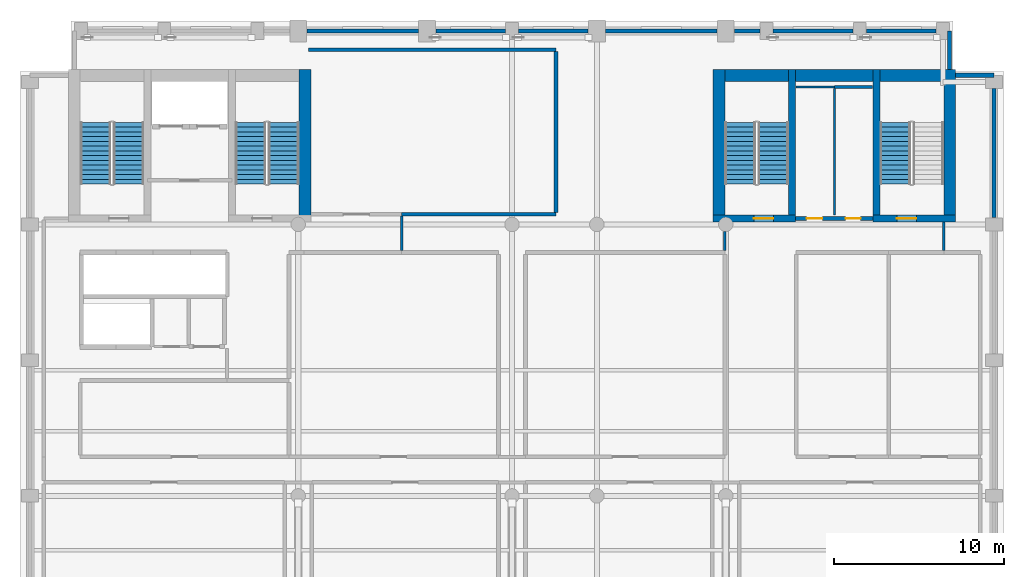
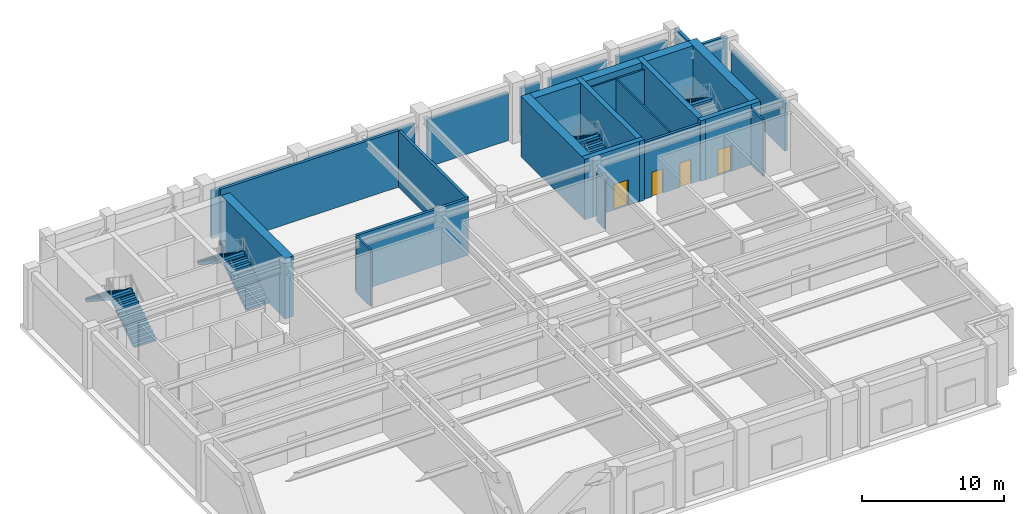
# One storey, part 7 of 11: 28 walls, 7 stair flights, 4 doors, 4 openings, 4 elements without a shape of their own.
"""IFC4 building model written with IfcOpenShell, lengths in metres."""

from ifc_helpers import new_model, si_unit, direction, frame, frame_2d, origin, place, context, subcontext, project, spatial, polyline, rectangle, outline, extrude, material, layer, layer_set, type_object, element, fill, aggregate, save


model = new_model("IFC4")

# Units and contexts
model_context = context("Model", 3, precision=1e-05, world=origin(), true_north=direction((0.0, 1.0)))
body_context = subcontext(model_context, "Body", "Model", "MODEL_VIEW")
ifc_project = project(units=[si_unit("LENGTHUNIT", "METRE"), si_unit("AREAUNIT", "SQUARE_METRE"), si_unit("VOLUMEUNIT", "CUBIC_METRE"), si_unit("PLANEANGLEUNIT", "RADIAN"), si_unit("MASSUNIT", "GRAM", prefix="KILO")], contexts=[model_context])

# Site, building, storey
site_placement = place(None, origin())
site = spatial("IfcSite", under=ifc_project, at=site_placement, CompositionType="ELEMENT")
building_placement = place(site_placement, origin())
building = spatial("IfcBuilding", under=site, at=building_placement, Name="Sulina Concourse Tower", CompositionType="ELEMENT")
storey_placement = place(building_placement, frame((0.0, 0.0, 238.60009765625)))
storey = spatial("IfcBuildingStorey", under=building, at=storey_placement, Name="L58", CompositionType="ELEMENT", Elevation=238.60009765625)

# Walls
ifc_material_1 = material(Name="Precast concrete C50/60", Category="concrete")
ifc_layer_1 = layer(ifc_material_1, 0.239990234375)
ifc_layer_set_1 = layer_set([ifc_layer_1], Name="Precast concrete C50/60")
wall_type_1 = type_object("IfcWallType", Name="Crown Precast Masonry-Frame Facade Wall 240mm", PredefinedType="SOLIDWALL", material=ifc_layer_set_1)
wall_1_placement = place(storey_placement, frame((16.919921875, 45.39990234375, 0.0), z_axis=(0.0, 0.0, 1.0), x_axis=(1.0, 0.0, 0.0)))
element("IfcWall", 1, at=wall_1_placement, inside=storey, type_object=wall_type_1, Name="L58 exterior precast wall N4", PredefinedType="SOLIDWALL", context=body_context, shape_type="SweptSolid", body=[
    extrude(rectangle(XDim=6.56005859375, YDim=0.239990234375, at=frame_2d((3.280029296875, 0.0))), origin(), (0.0, 0.0, 1.0), 4.10986328125),
])
for number, where, z_axis, x_axis, name in (
    (2, (24.52001953125, 45.39990234375, 0.0), (0.0, 0.0, 1.0), (1.0, 0.0, 0.0), "L58 exterior precast wall N5"),
    (3, (29.39501953125, 45.39990234375, 0.0), (0.0, 0.0, 1.0), (1.0, 0.0, 0.0), "L58 exterior precast wall N6"),
):
    element("IfcWall", number, at=place(storey_placement, frame(where, z_axis=z_axis, x_axis=x_axis)), inside=storey, type_object=wall_type_1, Name=name, PredefinedType="SOLIDWALL", context=body_context, shape_type="SweptSolid", body=[
        extrude(rectangle(XDim=4.0849609375, YDim=0.239990234375, at=frame_2d((2.04248046875, 0.0))), origin(), (0.0, 0.0, 1.0), 4.10986328125),
    ])
wall_2_placement = place(storey_placement, frame((34.52001953125, 45.39990234375, 0.0), z_axis=(0.0, 0.0, 1.0), x_axis=(1.0, 0.0, 0.0)))
element("IfcWall", 4, at=wall_2_placement, inside=storey, type_object=wall_type_1, Name="L58 exterior precast wall N7", PredefinedType="SOLIDWALL", context=body_context, shape_type="SweptSolid", body=[
    extrude(rectangle(XDim=6.56005859375, YDim=0.239990234375, at=frame_2d((3.280029296875, 0.0))), origin(), (0.0, 0.0, 1.0), 4.10986328125),
])
wall_3_placement = place(storey_placement, frame((42.1201171875, 45.39990234375, 0.0), z_axis=(0.0, 0.0, 1.0), x_axis=(1.0, 0.0, 0.0)))
element("IfcWall", 5, at=wall_3_placement, inside=storey, type_object=wall_type_1, Name="L58 exterior precast wall N8", PredefinedType="SOLIDWALL", context=body_context, shape_type="SweptSolid", body=[
    extrude(rectangle(XDim=1.48486328125, YDim=0.239990234375, at=frame_2d((0.742431640625, 0.0))), origin(), (0.0, 0.0, 1.0), 4.10986328125),
])
wall_4_placement = place(storey_placement, frame((44.39501953125, 45.39990234375, 0.0), z_axis=(0.0, 0.0, 1.0), x_axis=(1.0, 0.0, 0.0)))
element("IfcWall", 6, at=wall_4_placement, inside=storey, type_object=wall_type_1, Name="L58 exterior precast wall N9", PredefinedType="SOLIDWALL", context=body_context, shape_type="SweptSolid", body=[
    extrude(rectangle(XDim=4.7099609375, YDim=0.239990234375, at=frame_2d((2.35498046875, 0.0))), origin(), (0.0, 0.0, 1.0), 4.10986328125),
])
wall_5_placement = place(storey_placement, frame((49.89501953125, 45.39990234375, 0.0), z_axis=(0.0, 0.0, 1.0), x_axis=(1.0, 0.0, 0.0)))
element("IfcWall", 7, at=wall_5_placement, inside=storey, type_object=wall_type_1, Name="L58 exterior precast wall N10", PredefinedType="SOLIDWALL", context=body_context, shape_type="SweptSolid", body=[
    extrude(rectangle(XDim=4.10986328125, YDim=0.239990234375, at=frame_2d((2.054931640625, 0.0))), origin(), (0.0, 0.0, 1.0), 4.10986328125),
])
wall_6_placement = place(storey_placement, frame((57.39990234375, 42.0048828125, 0.0), z_axis=(0.0, 0.0, 1.0), x_axis=(0.0, -1.0, 0.0)))
element("IfcWall", 8, at=wall_6_placement, inside=storey, type_object=wall_type_1, Name="L58 exterior precast wall E5", PredefinedType="SOLIDWALL", context=body_context, shape_type="SweptSolid", body=[
    extrude(rectangle(XDim=7.60986328125, YDim=0.239990234375, at=frame_2d((3.804931640625, 0.0))), origin(), (0.0, 0.0, 1.0), 4.10986328125),
])
wall_7_placement = place(storey_placement, frame((54.794921875, 45.39990234375, 0.0), z_axis=(0.0, 0.0, 1.0), x_axis=(0.0, -1.0, 0.0)))
element("IfcWall", 9, at=wall_7_placement, inside=storey, type_object=wall_type_1, Name="L58 exterior precast wall CNE1", PredefinedType="SOLIDWALL", context=body_context, shape_type="SweptSolid", body=[
    extrude(rectangle(XDim=2.264892578125, YDim=0.239990234375, at=frame_2d((1.13232421875, 0.0))), origin(), (0.0, 0.0, 1.0), 4.85986328125),
])
wall_8_placement = place(storey_placement, frame((55.155029296875, 42.794921875, 0.0), z_axis=(0.0, 0.0, 1.0), x_axis=(1.0, 0.0, 0.0)))
element("IfcWall", 10, at=wall_8_placement, inside=storey, type_object=wall_type_1, Name="L58 exterior precast wall CNE2", PredefinedType="SOLIDWALL", context=body_context, shape_type="SweptSolid", body=[
    extrude(rectangle(XDim=2.244873046875, YDim=0.239990234375, at=frame_2d((1.12255859375, 0.0))), origin(), (0.0, 0.0, 1.0), 4.85986328125),
])

# Wall, openings, doors
ifc_material_2 = material(Name="Gypsum board on steel stud", Category="steel")
ifc_layer_2 = layer(ifc_material_2, 0.219970703125)
ifc_layer_set_2 = layer_set([ifc_layer_2], Name="Gypsum board on steel stud")
wall_type_2 = type_object("IfcWallType", Name="Fire-Rated Lobby & Compartment Wall 220mm", PredefinedType="PARTITIONING", material=ifc_layer_set_2)
wall_9_placement = place(storey_placement, frame((45.719970703125, 34.35009765625, 0.0), z_axis=(0.0, 0.0, 1.0), x_axis=(1.0, 0.0, 0.0)))
wall_9 = element("IfcWall", 11, at=wall_9_placement, inside=storey, type_object=wall_type_2, Name="L58 east core south lobby wall", PredefinedType="PARTITIONING", context=body_context, shape_type="SweptSolid", body=[
    extrude(rectangle(XDim=4.56005859375, YDim=0.219970703125, at=frame_2d((2.280029296875, 0.0))), origin(), (0.0, 0.0, 1.0), 4.85986328125),
])
opening_1_placement = place(wall_9_placement, frame((0.64990234375, 0.0, 0.0)))
opening_1 = element("IfcOpeningElement", 12, at=opening_1_placement, cuts=wall_9, Name="Opening DR-61", PredefinedType="OPENING", context=body_context, shape_type="SweptSolid", body=[
    extrude(rectangle(XDim=0.919921875, YDim=2.10009765625, at=frame_2d((0.4599609375, 1.050048828125))), frame((0.0, 0.119873046875, 0.0), z_axis=(0.0, -1.0, 0.0), x_axis=(1.0, 0.0, 0.0)), (0.0, 0.0, 1.0), 0.239990234375),
])
opening_2_placement = place(wall_9_placement, frame((2.949951171875, 0.0, 0.0)))
opening_2 = element("IfcOpeningElement", 13, at=opening_2_placement, cuts=wall_9, Name="Opening DR-38", PredefinedType="OPENING", context=body_context, shape_type="SweptSolid", body=[
    extrude(rectangle(XDim=0.8798828125, YDim=2.10009765625, at=frame_2d((0.43994140625, 1.050048828125))), frame((0.0, 0.119873046875, 0.0), z_axis=(0.0, -1.0, 0.0), x_axis=(1.0, 0.0, 0.0)), (0.0, 0.0, 1.0), 0.239990234375),
])
ifc_material_3 = material(Name="Oak-veneered fire door leaf")
ifc_layer_3 = layer(ifc_material_3, 0.050048828125)
ifc_layer_set_3 = layer_set([ifc_layer_3], Name="Oak-veneered fire door leaf")
door_type_1 = type_object("IfcDoorType", Name="Accessible WC Door 920x2100", OperationType="NOTDEFINED", PredefinedType="DOOR", material=ifc_layer_set_3)
door_1_placement = place(opening_1_placement, origin())
door_1 = element("IfcDoor", 14, at=door_1_placement, inside=storey, type_object=door_type_1, Name="L58 east core accessible wc door", OperationType="SINGLE_SWING_LEFT", OverallHeight=2.10009765625, OverallWidth=0.919921875, PredefinedType="DOOR", context=body_context, shape_type="SweptSolid", body=[
    extrude(rectangle(XDim=0.919921875, YDim=2.10009765625, at=frame_2d((0.4599609375, 1.050048828125))), frame((0.0, 0.02490234375, 0.0), z_axis=(0.0, -1.0, 0.0), x_axis=(1.0, 0.0, 0.0)), (0.0, 0.0, 1.0), 0.050048828125),
])
fill(opening_1, door_1)
ifc_material_4 = material(Name="Galvanised steel acoustic fire leaf", Category="steel")
ifc_layer_4 = layer(ifc_material_4, 0.050048828125)
ifc_layer_set_4 = layer_set([ifc_layer_4], Name="Galvanised steel acoustic fire leaf")
door_type_2 = type_object("IfcDoorType", Name="Service Riser Fire Door 880x2100", OperationType="NOTDEFINED", PredefinedType="DOOR", material=ifc_layer_set_4)
door_2_placement = place(opening_2_placement, origin())
door_2 = element("IfcDoor", 15, at=door_2_placement, inside=storey, type_object=door_type_2, Name="L58 east core store door", OperationType="SINGLE_SWING_RIGHT", OverallHeight=2.10009765625, OverallWidth=0.8798828125, PredefinedType="DOOR", context=body_context, shape_type="SweptSolid", body=[
    extrude(rectangle(XDim=0.8798828125, YDim=2.10009765625, at=frame_2d((0.43994140625, 1.050048828125))), frame((0.0, 0.02490234375, 0.0), z_axis=(0.0, -1.0, 0.0), x_axis=(1.0, 0.0, 0.0)), (0.0, 0.0, 1.0), 0.050048828125),
])
fill(opening_2, door_2)

# Walls
wall_10_placement = place(storey_placement, frame((22.5, 34.60009765625, 0.0), z_axis=(0.0, 0.0, 1.0), x_axis=(1.0, 0.0, 0.0)))
element("IfcWall", 16, at=wall_10_placement, inside=storey, type_object=wall_type_2, Name="L58 interior partition 031", PredefinedType="PARTITIONING", context=body_context, shape_type="SweptSolid", body=[
    extrude(rectangle(XDim=9.10009765625, YDim=0.219970703125, at=frame_2d((4.550048828125, 0.0))), origin(), (0.0, 0.0, 1.0), 4.85986328125),
])
wall_11_placement = place(storey_placement, frame((17.0, 44.300048828125, 0.0), z_axis=(0.0, 0.0, 1.0), x_axis=(1.0, 0.0, 0.0)))
element("IfcWall", 17, at=wall_11_placement, inside=storey, type_object=wall_type_2, Name="L58 interior partition 034", PredefinedType="PARTITIONING", context=body_context, shape_type="SweptSolid", body=[
    extrude(rectangle(XDim=14.60009765625, YDim=0.219970703125, at=frame_2d((7.300048828125, 0.0))), origin(), (0.0, 0.0, 1.0), 4.85986328125),
])
wall_12_placement = place(storey_placement, frame((31.60009765625, 34.7099609375, 0.0), z_axis=(0.0, 0.0, 1.0), x_axis=(0.0, 1.0, 0.0)))
element("IfcWall", 18, at=wall_12_placement, inside=storey, type_object=wall_type_2, Name="L58 interior partition 051", PredefinedType="PARTITIONING", context=body_context, shape_type="SweptSolid", body=[
    extrude(rectangle(XDim=9.47998046875, YDim=0.219970703125, at=frame_2d((4.739990234375, 0.0))), origin(), (0.0, 0.0, 1.0), 4.85986328125),
])
ifc_material_5 = material(Name="Gypsum board on steel stud", Category="steel")
ifc_layer_5 = layer(ifc_material_5, 0.14990234375)
ifc_layer_set_5 = layer_set([ifc_layer_5], Name="Gypsum board on steel stud")
wall_type_3 = type_object("IfcWallType", Name="Inter-Tenancy Acoustic Partition 150mm", PredefinedType="PARTITIONING", material=ifc_layer_set_5)
wall_13_placement = place(storey_placement, frame((48.0, 42.10009765625, 0.0), z_axis=(0.0, 0.0, 1.0), x_axis=(1.0, 0.0, 0.0)))
element("IfcWall", 19, at=wall_13_placement, inside=storey, type_object=wall_type_3, Name="L58 interior partition 033", PredefinedType="PARTITIONING", context=body_context, shape_type="SweptSolid", body=[
    extrude(rectangle(XDim=2.25, YDim=0.14990234375, at=frame_2d((1.125, 0.0))), origin(), (0.0, 0.0, 1.0), 4.85986328125),
])
wall_14_placement = place(storey_placement, frame((22.5, 32.4599609375, 0.0), z_axis=(0.0, 0.0, 1.0), x_axis=(0.0, 1.0, 0.0)))
element("IfcWall", 20, at=wall_14_placement, inside=storey, type_object=wall_type_3, Name="L58 interior partition 046", PredefinedType="PARTITIONING", context=body_context, shape_type="SweptSolid", body=[
    extrude(rectangle(XDim=2.030029296875, YDim=0.14990234375, at=frame_2d((1.01513671875, 0.0))), origin(), (0.0, 0.0, 1.0), 4.85986328125),
])
wall_15_placement = place(storey_placement, frame((41.550048828125, 32.4599609375, 0.0), z_axis=(0.0, 0.0, 1.0), x_axis=(0.0, 1.0, 0.0)))
element("IfcWall", 21, at=wall_15_placement, inside=storey, type_object=wall_type_3, Name="L58 interior partition 054", PredefinedType="PARTITIONING", context=body_context, shape_type="SweptSolid", body=[
    extrude(rectangle(XDim=1.114990234375, YDim=0.14990234375, at=frame_2d((0.5576171875, 0.0))), origin(), (0.0, 0.0, 1.0), 4.2548828125),
])
wall_16_placement = place(storey_placement, frame((54.449951171875, 32.4599609375, 0.0), z_axis=(0.0, 0.0, 1.0), x_axis=(0.0, 1.0, 0.0)))
element("IfcWall", 22, at=wall_16_placement, inside=storey, type_object=wall_type_3, Name="L58 interior partition 059", PredefinedType="PARTITIONING", context=body_context, shape_type="SweptSolid", body=[
    extrude(rectangle(XDim=1.68994140625, YDim=0.14990234375, at=frame_2d((0.844970703125, 0.0))), origin(), (0.0, 0.0, 1.0), 4.85986328125),
])

# Wall, opening, door
ifc_material_6 = material(Name="Concrete C60/75", Category="concrete")
ifc_layer_6 = layer(ifc_material_6, 0.39990234375)
ifc_layer_set_6 = layer_set([ifc_layer_6], Name="Concrete C60/75")
wall_type_4 = type_object("IfcWallType", Name="Protected Stair Core Shear Wall 400mm", PredefinedType="SHEAR", material=ifc_layer_set_6)
wall_17_placement = place(storey_placement, frame((40.85009765625, 34.35009765625, 0.0), z_axis=(0.0, 0.0, 1.0), x_axis=(1.0, 0.0, 0.0)))
wall_17 = element("IfcWall", 23, at=wall_17_placement, inside=storey, type_object=wall_type_4, Name="L58 east core shear wall CW-ES1", PredefinedType="SHEAR", context=body_context, shape_type="SweptSolid", body=[
    extrude(rectangle(XDim=4.85986328125, YDim=0.39990234375, at=frame_2d((2.429931640625, 0.0))), origin(), (0.0, 0.0, 1.0), 5.199951171875),
])
opening_3_placement = place(wall_17_placement, frame((2.39990234375, 0.0, 0.0)))
opening_3 = element("IfcOpeningElement", 24, at=opening_3_placement, cuts=wall_17, Name="Opening DR-60", PredefinedType="OPENING", context=body_context, shape_type="SweptSolid", body=[
    extrude(rectangle(XDim=1.14990234375, YDim=2.199951171875, at=frame_2d((0.574951171875, 1.10009765625))), frame((0.0, 0.2099609375, 0.0), z_axis=(0.0, -1.0, 0.0), x_axis=(1.0, 0.0, 0.0)), (0.0, 0.0, 1.0), 0.419921875),
])
ifc_material_7 = material(Name="Galvanised steel acoustic fire leaf", Category="steel")
ifc_layer_7 = layer(ifc_material_7, 0.054931640625)
ifc_layer_set_7 = layer_set([ifc_layer_7], Name="Galvanised steel acoustic fire leaf")
door_type_3 = type_object("IfcDoorType", Name="Protected Exit Stair Fire Door 1150x2200", OperationType="NOTDEFINED", PredefinedType="DOOR", material=ifc_layer_set_7)
door_3_placement = place(opening_3_placement, origin())
door_3 = element("IfcDoor", 25, at=door_3_placement, inside=storey, type_object=door_type_3, Name="L58 stair ST-3 south lobby fire door", OperationType="SINGLE_SWING_RIGHT", OverallHeight=2.199951171875, OverallWidth=1.14990234375, PredefinedType="DOOR", context=body_context, shape_type="SweptSolid", body=[
    extrude(rectangle(XDim=1.14990234375, YDim=2.199951171875, at=frame_2d((0.574951171875, 1.10009765625))), frame((0.0, 0.02490234375, 0.0), z_axis=(0.0, -1.0, 0.0), x_axis=(1.0, 0.0, 0.0)), (0.0, 0.0, 1.0), 0.050048828125),
])
fill(opening_3, door_3)

# Wall
wall_18_placement = place(storey_placement, frame((45.510009765625, 34.14990234375, 0.0), z_axis=(0.0, 0.0, 1.0), x_axis=(0.0, 1.0, 0.0)))
element("IfcWall", 26, at=wall_18_placement, inside=storey, type_object=wall_type_4, Name="L58 east core shear wall SW-ST3", PredefinedType="SHEAR", context=body_context, shape_type="SweptSolid", body=[
    extrude(rectangle(XDim=8.97998046875, YDim=0.39990234375, at=frame_2d((4.489990234375, 0.0))), origin(), (0.0, 0.0, 1.0), 5.199951171875),
])

# Wall, opening, door
wall_19_placement = place(storey_placement, frame((50.2900390625, 34.35009765625, 0.0), z_axis=(0.0, 0.0, 1.0), x_axis=(1.0, 0.0, 0.0)))
wall_19 = element("IfcWall", 27, at=wall_19_placement, inside=storey, type_object=wall_type_4, Name="L58 east core shear wall CW-ES2", PredefinedType="SHEAR", context=body_context, shape_type="SweptSolid", body=[
    extrude(rectangle(XDim=4.85986328125, YDim=0.39990234375, at=frame_2d((2.429931640625, 0.0))), origin(), (0.0, 0.0, 1.0), 5.199951171875),
])
opening_4_placement = place(wall_19_placement, frame((1.39990234375, 0.0, 0.0)))
opening_4 = element("IfcOpeningElement", 28, at=opening_4_placement, cuts=wall_19, Name="Opening DR-60", PredefinedType="OPENING", context=body_context, shape_type="SweptSolid", body=[
    extrude(rectangle(XDim=1.14990234375, YDim=2.199951171875, at=frame_2d((0.574951171875, 1.10009765625))), frame((0.0, 0.2099609375, 0.0), z_axis=(0.0, -1.0, 0.0), x_axis=(1.0, 0.0, 0.0)), (0.0, 0.0, 1.0), 0.419921875),
])
door_4_placement = place(opening_4_placement, origin())
door_4 = element("IfcDoor", 29, at=door_4_placement, inside=storey, type_object=door_type_3, Name="L58 stair ST-4 south lobby fire door", OperationType="SINGLE_SWING_LEFT", OverallHeight=2.199951171875, OverallWidth=1.14990234375, PredefinedType="DOOR", context=body_context, shape_type="SweptSolid", body=[
    extrude(rectangle(XDim=1.14990234375, YDim=2.199951171875, at=frame_2d((0.574951171875, 1.10009765625))), frame((0.0, 0.02490234375, 0.0), z_axis=(0.0, -1.0, 0.0), x_axis=(1.0, 0.0, 0.0)), (0.0, 0.0, 1.0), 0.050048828125),
])
fill(opening_4, door_4)

# Walls
wall_20_placement = place(storey_placement, frame((50.489990234375, 34.14990234375, 0.0), z_axis=(0.0, 0.0, 1.0), x_axis=(0.0, 1.0, 0.0)))
element("IfcWall", 30, at=wall_20_placement, inside=storey, type_object=wall_type_4, Name="L58 east core shear wall SW-ST4", PredefinedType="SHEAR", context=body_context, shape_type="SweptSolid", body=[
    extrude(rectangle(XDim=8.97998046875, YDim=0.39990234375, at=frame_2d((4.489990234375, 0.0))), origin(), (0.0, 0.0, 1.0), 5.199951171875),
])
ifc_material_8 = material(Name="Concrete C60/75", Category="concrete")
ifc_layer_8 = layer(ifc_material_8, 0.699951171875)
ifc_layer_set_8 = layer_set([ifc_layer_8], Name="Concrete C60/75")
wall_type_5 = type_object("IfcWallType", Name="Rear Core Shear Wall 700mm", PredefinedType="SHEAR", material=ifc_layer_set_8)
wall_21_placement = place(storey_placement, frame((16.800048828125, 34.14990234375, 0.0), z_axis=(0.0, 0.0, 1.0), x_axis=(0.0, 1.0, 0.0)))
element("IfcWall", 31, at=wall_21_placement, inside=storey, type_object=wall_type_5, Name="L58 west core shear wall CW-WE", PredefinedType="SHEAR", context=body_context, shape_type="SweptSolid", body=[
    extrude(rectangle(XDim=8.97998046875, YDim=0.699951171875, at=frame_2d((4.489990234375, 0.0))), origin(), (0.0, 0.0, 1.0), 5.199951171875),
])
wall_22_placement = place(storey_placement, frame((40.85009765625, 42.780029296875, 0.0), z_axis=(0.0, 0.0, 1.0), x_axis=(1.0, 0.0, 0.0)))
element("IfcWall", 32, at=wall_22_placement, inside=storey, type_object=wall_type_5, Name="L58 east core shear wall CW-EN", PredefinedType="SHEAR", context=body_context, shape_type="SweptSolid", body=[
    extrude(rectangle(XDim=14.2998046875, YDim=0.699951171875, at=frame_2d((7.14990234375, 0.0))), origin(), (0.0, 0.0, 1.0), 5.199951171875),
])
for number, where, z_axis, x_axis, name in (
    (33, (41.199951171875, 34.14990234375, 0.0), (0.0, 0.0, 1.0), (0.0, 1.0, 0.0), "L58 east core shear wall CW-EW"),
    (34, (54.800048828125, 34.14990234375, 0.0), (0.0, 0.0, 1.0), (0.0, 1.0, 0.0), "L58 east core shear wall CW-EE"),
):
    element("IfcWall", number, at=place(storey_placement, frame(where, z_axis=z_axis, x_axis=x_axis)), inside=storey, type_object=wall_type_5, Name=name, PredefinedType="SHEAR", context=body_context, shape_type="SweptSolid", body=[
        extrude(rectangle(XDim=8.97998046875, YDim=0.699951171875, at=frame_2d((4.489990234375, 0.0))), origin(), (0.0, 0.0, 1.0), 5.199951171875),
    ])
ifc_material_9 = material(Name="Gypsum board on steel stud", Category="steel")
ifc_layer_9 = layer(ifc_material_9, 0.125)
ifc_layer_set_9 = layer_set([ifc_layer_9], Name="Gypsum board on steel stud")
wall_type_6 = type_object("IfcWallType", Name="Wet-Area Moisture-Resistant Partition 125mm", PredefinedType="PARTITIONING", material=ifc_layer_set_9)
wall_23_placement = place(storey_placement, frame((45.75, 42.10009765625, 0.0), z_axis=(0.0, 0.0, 1.0), x_axis=(1.0, 0.0, 0.0)))
element("IfcWall", 35, at=wall_23_placement, inside=storey, type_object=wall_type_6, Name="L58 interior partition 032", PredefinedType="PARTITIONING", context=body_context, shape_type="SweptSolid", body=[
    extrude(rectangle(XDim=2.25, YDim=0.125, at=frame_2d((1.125, 0.0))), origin(), (0.0, 0.0, 1.0), 4.85986328125),
])
wall_24_placement = place(storey_placement, frame((48.0, 34.550048828125, 0.0), z_axis=(0.0, 0.0, 1.0), x_axis=(0.0, 1.0, 0.0)))
element("IfcWall", 36, at=wall_24_placement, inside=storey, type_object=wall_type_6, Name="L58 interior partition 057", PredefinedType="PARTITIONING", context=body_context, shape_type="SweptSolid", body=[
    extrude(rectangle(XDim=7.474853515625, YDim=0.125, at=frame_2d((3.7373046875, 0.0))), origin(), (0.0, 0.0, 1.0), 4.85986328125),
])

# Stair, stair flights
ifc_material_10 = material(Name="Concrete C50/60", Category="concrete")
stair_type_1 = type_object("IfcStairType", Name="Portal & Podium Core Exit Stair 1820mm", PredefinedType="HALF_TURN_STAIR", material=ifc_material_10)
stair_1_placement = place(storey_placement, origin())
stair_1 = element("IfcStair", 37, at=stair_1_placement, inside=storey, type_object=stair_type_1, Name="L58 ST-3", PredefinedType="HALF_TURN_STAIR")
ifc_material_11 = material(Name="Concrete C50/60", Category="concrete")
stair_flight_type_1 = type_object("IfcStairFlightType", Name="Portal & Podium Core Exit Stair 1820mm Flight", PredefinedType="STRAIGHT", material=ifc_material_11)
stair_flight_1_placement = place(storey_placement, frame((44.405029296875, 36.375, 0.0), z_axis=(0.0, 0.0, 1.0), x_axis=(0.0, 1.0, 0.0)))
stair_flight_1 = element("IfcStairFlight", 38, at=stair_flight_1_placement, type_object=stair_flight_type_1, Name="ST-3 flight 1", NumberOfRisers=14, NumberOfTreads=13, PredefinedType="STRAIGHT", RiserHeight=0.185714286, TreadLength=0.28, context=body_context, shape_type="SweptSolid", body=[
    extrude(outline(polyline([(0.0, 0.0), (0.0, 0.185791015625), (0.280029296875, 0.185791015625), (0.280029296875, 0.371337890625), (0.56005859375, 0.371337890625), (0.56005859375, 0.55712890625), (0.840087890625, 0.55712890625), (0.840087890625, 0.742919921875), (1.1201171875, 0.742919921875), (1.1201171875, 0.928466796875), (1.39990234375, 0.928466796875), (1.39990234375, 1.1142578125), (1.679931640625, 1.1142578125), (1.679931640625, 1.300048828125), (1.9599609375, 1.300048828125), (1.9599609375, 1.485595703125), (2.239990234375, 1.485595703125), (2.239990234375, 1.67138671875), (2.52001953125, 1.67138671875), (2.52001953125, 1.857177734375), (2.800048828125, 1.857177734375), (2.800048828125, 2.04296875), (3.080078125, 2.04296875), (3.080078125, 2.228515625), (3.360107421875, 2.228515625), (3.360107421875, 2.414306640625), (3.639892578125, 2.414306640625), (3.639892578125, 2.60009765625), (3.639892578125, 2.198486328125), (0.325439453125, 0.0), (0.0, 0.0)])), frame((0.0, 0.89990234375, 0.0), z_axis=(0.0, -1.0, 0.0), x_axis=(1.0, 0.0, 0.0)), (0.0, 0.0, 1.0), 1.800048828125),
])
stair_flight_2_placement = place(storey_placement, frame((42.455078125, 40.014892578125, 2.599853515625), z_axis=(0.0, 0.0, 1.0), x_axis=(0.0, -1.0, 0.0)))
stair_flight_2 = element("IfcStairFlight", 39, at=stair_flight_2_placement, type_object=stair_flight_type_1, Name="ST-3 flight 2", NumberOfRisers=14, NumberOfTreads=13, PredefinedType="STRAIGHT", RiserHeight=0.185714286, TreadLength=0.28, context=body_context, shape_type="SweptSolid", body=[
    extrude(outline(polyline([(0.0, 0.0), (0.0, 0.185791015625), (0.280029296875, 0.185791015625), (0.280029296875, 0.371337890625), (0.56005859375, 0.371337890625), (0.56005859375, 0.55712890625), (0.840087890625, 0.55712890625), (0.840087890625, 0.742919921875), (1.1201171875, 0.742919921875), (1.1201171875, 0.928466796875), (1.39990234375, 0.928466796875), (1.39990234375, 1.1142578125), (1.679931640625, 1.1142578125), (1.679931640625, 1.300048828125), (1.9599609375, 1.300048828125), (1.9599609375, 1.485595703125), (2.239990234375, 1.485595703125), (2.239990234375, 1.67138671875), (2.52001953125, 1.67138671875), (2.52001953125, 1.857177734375), (2.800048828125, 1.857177734375), (2.800048828125, 2.04296875), (3.080078125, 2.04296875), (3.080078125, 2.228515625), (3.360107421875, 2.228515625), (3.360107421875, 2.414306640625), (3.639892578125, 2.414306640625), (3.639892578125, 2.60009765625), (3.639892578125, 2.198486328125), (0.325439453125, 0.0), (0.0, 0.0)])), frame((0.0, 0.89990234375, 0.0), z_axis=(0.0, -1.0, 0.0), x_axis=(1.0, 0.0, 0.0)), (0.0, 0.0, 1.0), 1.800048828125),
])
aggregate(stair_1, [stair_flight_1, stair_flight_2])

# Stair, stair flight
stair_2_placement = place(storey_placement, origin())
stair_2 = element("IfcStair", 40, at=stair_2_placement, inside=storey, type_object=stair_type_1, Name="L58 ST-4", PredefinedType="HALF_TURN_STAIR")
stair_flight_3_placement = place(storey_placement, frame((51.594970703125, 40.014892578125, 2.599853515625), z_axis=(0.0, 0.0, 1.0), x_axis=(0.0, -1.0, 0.0)))
stair_flight_3 = element("IfcStairFlight", 41, at=stair_flight_3_placement, type_object=stair_flight_type_1, Name="ST-4 flight 2", NumberOfRisers=14, NumberOfTreads=13, PredefinedType="STRAIGHT", RiserHeight=0.185714286, TreadLength=0.28, context=body_context, shape_type="SweptSolid", body=[
    extrude(outline(polyline([(0.0, 0.0), (0.0, 0.185791015625), (0.280029296875, 0.185791015625), (0.280029296875, 0.371337890625), (0.56005859375, 0.371337890625), (0.56005859375, 0.55712890625), (0.840087890625, 0.55712890625), (0.840087890625, 0.742919921875), (1.1201171875, 0.742919921875), (1.1201171875, 0.928466796875), (1.39990234375, 0.928466796875), (1.39990234375, 1.1142578125), (1.679931640625, 1.1142578125), (1.679931640625, 1.300048828125), (1.9599609375, 1.300048828125), (1.9599609375, 1.485595703125), (2.239990234375, 1.485595703125), (2.239990234375, 1.67138671875), (2.52001953125, 1.67138671875), (2.52001953125, 1.857177734375), (2.800048828125, 1.857177734375), (2.800048828125, 2.04296875), (3.080078125, 2.04296875), (3.080078125, 2.228515625), (3.360107421875, 2.228515625), (3.360107421875, 2.414306640625), (3.639892578125, 2.414306640625), (3.639892578125, 2.60009765625), (3.639892578125, 2.198486328125), (0.325439453125, 0.0), (0.0, 0.0)])), frame((0.0, 0.89990234375, 0.0), z_axis=(0.0, -1.0, 0.0), x_axis=(1.0, 0.0, 0.0)), (0.0, 0.0, 1.0), 1.800048828125),
])
aggregate(stair_2, [stair_flight_3])

# Stair, stair flights
ifc_material_12 = material(Name="Concrete C50/60", Category="concrete")
stair_type_2 = type_object("IfcStairType", Name="Primary Core Dog-Leg Exit Stair 1800mm", PredefinedType="HALF_TURN_STAIR", material=ifc_material_12)
stair_3_placement = place(storey_placement, origin())
stair_3 = element("IfcStair", 42, at=stair_3_placement, inside=storey, type_object=stair_type_2, Name="L58 ST-1", PredefinedType="HALF_TURN_STAIR")
ifc_material_13 = material(Name="Concrete C50/60", Category="concrete")
stair_flight_type_2 = type_object("IfcStairFlightType", Name="Primary Core Dog-Leg Exit Stair 1800mm Flight", PredefinedType="STRAIGHT", material=ifc_material_13)
stair_flight_4_placement = place(storey_placement, frame((6.405029296875, 36.375, 0.0), z_axis=(0.0, 0.0, 1.0), x_axis=(0.0, 1.0, 0.0)))
stair_flight_4 = element("IfcStairFlight", 43, at=stair_flight_4_placement, type_object=stair_flight_type_2, Name="ST-1 flight 1", NumberOfRisers=14, NumberOfTreads=13, PredefinedType="STRAIGHT", RiserHeight=0.185714286, TreadLength=0.28, context=body_context, shape_type="SweptSolid", body=[
    extrude(outline(polyline([(0.0, 0.0), (0.0, 0.185791015625), (0.280029296875, 0.185791015625), (0.280029296875, 0.371337890625), (0.56005859375, 0.371337890625), (0.56005859375, 0.55712890625), (0.840087890625, 0.55712890625), (0.840087890625, 0.742919921875), (1.1201171875, 0.742919921875), (1.1201171875, 0.928466796875), (1.39990234375, 0.928466796875), (1.39990234375, 1.1142578125), (1.679931640625, 1.1142578125), (1.679931640625, 1.300048828125), (1.9599609375, 1.300048828125), (1.9599609375, 1.485595703125), (2.239990234375, 1.485595703125), (2.239990234375, 1.67138671875), (2.52001953125, 1.67138671875), (2.52001953125, 1.857177734375), (2.800048828125, 1.857177734375), (2.800048828125, 2.04296875), (3.080078125, 2.04296875), (3.080078125, 2.228515625), (3.360107421875, 2.228515625), (3.360107421875, 2.414306640625), (3.639892578125, 2.414306640625), (3.639892578125, 2.60009765625), (3.639892578125, 2.198486328125), (0.325439453125, 0.0), (0.0, 0.0)])), frame((0.0, 0.89990234375, 0.0), z_axis=(0.0, -1.0, 0.0), x_axis=(1.0, 0.0, 0.0)), (0.0, 0.0, 1.0), 1.800048828125),
])
stair_flight_5_placement = place(storey_placement, frame((4.455078125, 40.014892578125, 2.599853515625), z_axis=(0.0, 0.0, 1.0), x_axis=(0.0, -1.0, 0.0)))
stair_flight_5 = element("IfcStairFlight", 44, at=stair_flight_5_placement, type_object=stair_flight_type_2, Name="ST-1 flight 2", NumberOfRisers=14, NumberOfTreads=13, PredefinedType="STRAIGHT", RiserHeight=0.185714286, TreadLength=0.28, context=body_context, shape_type="SweptSolid", body=[
    extrude(outline(polyline([(0.0, 0.0), (0.0, 0.185791015625), (0.280029296875, 0.185791015625), (0.280029296875, 0.371337890625), (0.56005859375, 0.371337890625), (0.56005859375, 0.55712890625), (0.840087890625, 0.55712890625), (0.840087890625, 0.742919921875), (1.1201171875, 0.742919921875), (1.1201171875, 0.928466796875), (1.39990234375, 0.928466796875), (1.39990234375, 1.1142578125), (1.679931640625, 1.1142578125), (1.679931640625, 1.300048828125), (1.9599609375, 1.300048828125), (1.9599609375, 1.485595703125), (2.239990234375, 1.485595703125), (2.239990234375, 1.67138671875), (2.52001953125, 1.67138671875), (2.52001953125, 1.857177734375), (2.800048828125, 1.857177734375), (2.800048828125, 2.04296875), (3.080078125, 2.04296875), (3.080078125, 2.228515625), (3.360107421875, 2.228515625), (3.360107421875, 2.414306640625), (3.639892578125, 2.414306640625), (3.639892578125, 2.60009765625), (3.639892578125, 2.198486328125), (0.325439453125, 0.0), (0.0, 0.0)])), frame((0.0, 0.89990234375, 0.0), z_axis=(0.0, -1.0, 0.0), x_axis=(1.0, 0.0, 0.0)), (0.0, 0.0, 1.0), 1.800048828125),
])
aggregate(stair_3, [stair_flight_4, stair_flight_5])

stair_4_placement = place(storey_placement, origin())
stair_4 = element("IfcStair", 45, at=stair_4_placement, inside=storey, type_object=stair_type_2, Name="L58 ST-2", PredefinedType="HALF_TURN_STAIR")
stair_flight_6_placement = place(storey_placement, frame((15.544921875, 36.375, 0.0), z_axis=(0.0, 0.0, 1.0), x_axis=(0.0, 1.0, 0.0)))
stair_flight_6 = element("IfcStairFlight", 46, at=stair_flight_6_placement, type_object=stair_flight_type_2, Name="ST-2 flight 1", NumberOfRisers=14, NumberOfTreads=13, PredefinedType="STRAIGHT", RiserHeight=0.185714286, TreadLength=0.28, context=body_context, shape_type="SweptSolid", body=[
    extrude(outline(polyline([(0.0, 0.0), (0.0, 0.185791015625), (0.280029296875, 0.185791015625), (0.280029296875, 0.371337890625), (0.56005859375, 0.371337890625), (0.56005859375, 0.55712890625), (0.840087890625, 0.55712890625), (0.840087890625, 0.742919921875), (1.1201171875, 0.742919921875), (1.1201171875, 0.928466796875), (1.39990234375, 0.928466796875), (1.39990234375, 1.1142578125), (1.679931640625, 1.1142578125), (1.679931640625, 1.300048828125), (1.9599609375, 1.300048828125), (1.9599609375, 1.485595703125), (2.239990234375, 1.485595703125), (2.239990234375, 1.67138671875), (2.52001953125, 1.67138671875), (2.52001953125, 1.857177734375), (2.800048828125, 1.857177734375), (2.800048828125, 2.04296875), (3.080078125, 2.04296875), (3.080078125, 2.228515625), (3.360107421875, 2.228515625), (3.360107421875, 2.414306640625), (3.639892578125, 2.414306640625), (3.639892578125, 2.60009765625), (3.639892578125, 2.198486328125), (0.325439453125, 0.0), (0.0, 0.0)])), frame((0.0, 0.89990234375, 0.0), z_axis=(0.0, -1.0, 0.0), x_axis=(1.0, 0.0, 0.0)), (0.0, 0.0, 1.0), 1.800048828125),
])
stair_flight_7_placement = place(storey_placement, frame((13.594970703125, 40.014892578125, 2.599853515625), z_axis=(0.0, 0.0, 1.0), x_axis=(0.0, -1.0, 0.0)))
stair_flight_7 = element("IfcStairFlight", 47, at=stair_flight_7_placement, type_object=stair_flight_type_2, Name="ST-2 flight 2", NumberOfRisers=14, NumberOfTreads=13, PredefinedType="STRAIGHT", RiserHeight=0.185714286, TreadLength=0.28, context=body_context, shape_type="SweptSolid", body=[
    extrude(outline(polyline([(0.0, 0.0), (0.0, 0.185791015625), (0.280029296875, 0.185791015625), (0.280029296875, 0.371337890625), (0.56005859375, 0.371337890625), (0.56005859375, 0.55712890625), (0.840087890625, 0.55712890625), (0.840087890625, 0.742919921875), (1.1201171875, 0.742919921875), (1.1201171875, 0.928466796875), (1.39990234375, 0.928466796875), (1.39990234375, 1.1142578125), (1.679931640625, 1.1142578125), (1.679931640625, 1.300048828125), (1.9599609375, 1.300048828125), (1.9599609375, 1.485595703125), (2.239990234375, 1.485595703125), (2.239990234375, 1.67138671875), (2.52001953125, 1.67138671875), (2.52001953125, 1.857177734375), (2.800048828125, 1.857177734375), (2.800048828125, 2.04296875), (3.080078125, 2.04296875), (3.080078125, 2.228515625), (3.360107421875, 2.228515625), (3.360107421875, 2.414306640625), (3.639892578125, 2.414306640625), (3.639892578125, 2.60009765625), (3.639892578125, 2.198486328125), (0.325439453125, 0.0), (0.0, 0.0)])), frame((0.0, 0.89990234375, 0.0), z_axis=(0.0, -1.0, 0.0), x_axis=(1.0, 0.0, 0.0)), (0.0, 0.0, 1.0), 1.800048828125),
])
aggregate(stair_4, [stair_flight_6, stair_flight_7])

save(model, "model.ifc")
